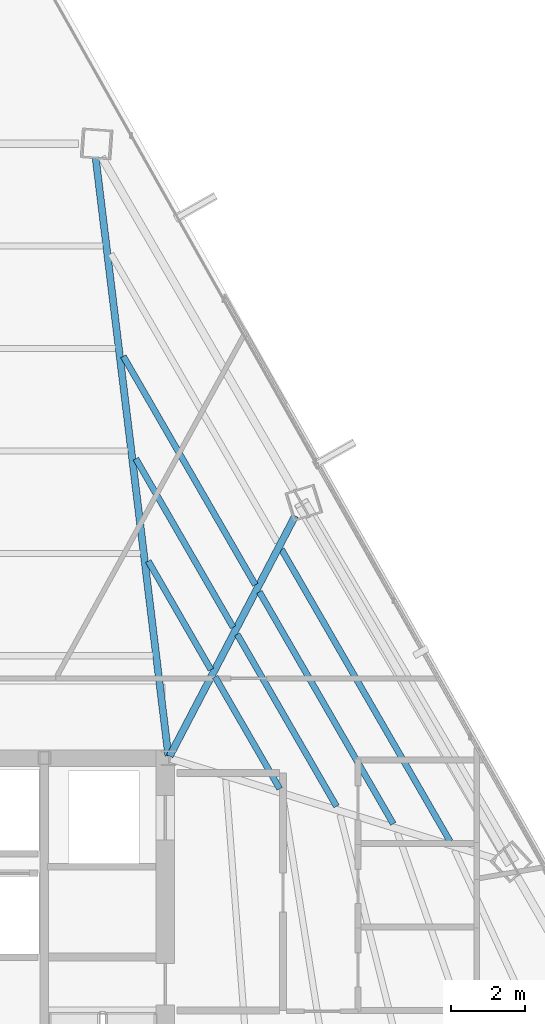
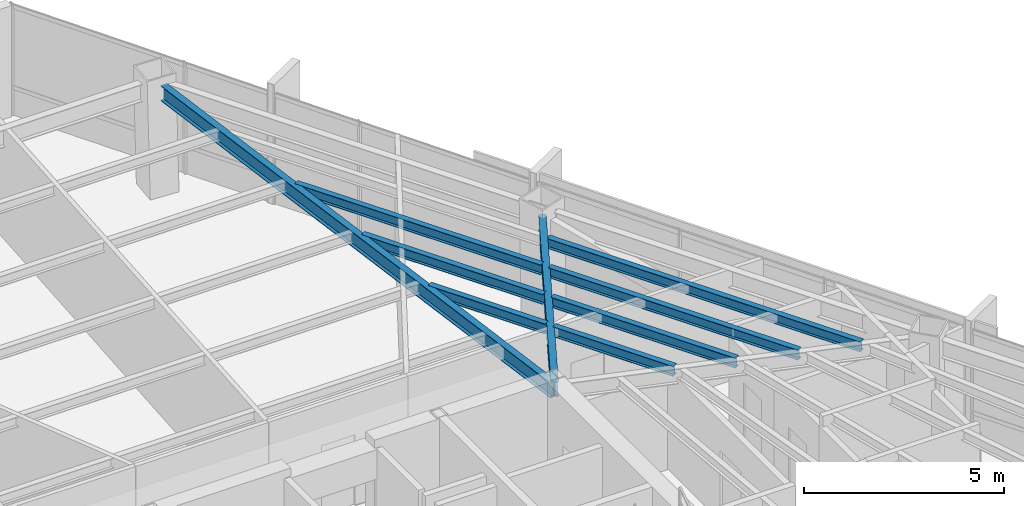
# One storey, part 25 of 42: 9 beams.
"""IFC4 building model written with IfcOpenShell, lengths in metres."""

from ifc_helpers import new_model, si_unit, direction, frame, origin, origin_2d, place, context, subcontext, project, spatial, i_section, extrude, source, transform, mapped, material, material_profile, profile_set, type_object, type_shapes, element, save


model = new_model("IFC4")

# Units and contexts
model_context = context("Model", 3, precision=1e-05, world=origin(), true_north=direction((0.0, 1.0)))
body_context = subcontext(model_context, "Body", "Model", "MODEL_VIEW")
ifc_project = project(units=[si_unit("LENGTHUNIT", "METRE"), si_unit("AREAUNIT", "SQUARE_METRE"), si_unit("VOLUMEUNIT", "CUBIC_METRE"), si_unit("PLANEANGLEUNIT", "RADIAN"), si_unit("MASSUNIT", "GRAM", prefix="KILO")], contexts=[model_context])

# Site, building, storey
site_placement = place(None, origin())
site = spatial("IfcSite", under=ifc_project, at=site_placement, CompositionType="ELEMENT")
building_placement = place(site_placement, origin())
building = spatial("IfcBuilding", under=site, at=building_placement, Name="Caelisora Broadcast Tower", CompositionType="ELEMENT")
storey_placement = place(building_placement, frame((0.0, 0.0, 184.050048828125)))
storey = spatial("IfcBuildingStorey", under=building, at=storey_placement, Name="L48", CompositionType="ELEMENT", Elevation=184.050048828125)

# Beams
ifc_material = material(Name="Steel Grade 350 (AS/NZS 3679.1)", Category="steel")
ifc_material_profile_1 = material_profile(ifc_material, i_section(OverallWidth=0.166015625, OverallDepth=0.30712890625, WebThickness=0.006591796875, FlangeThickness=0.01171875, at=origin_2d()), Name="Steel Grade 350 (AS/NZS 3679.1)")
ifc_profile_set_1 = profile_set([ifc_material_profile_1], Name="Steel Grade 350 (AS/NZS 3679.1)")
beam_type_1 = type_object("IfcBeamType", Name="SB03", PredefinedType="JOIST", material=ifc_profile_set_1)
shared_shape_1 = source(origin(), body_context, "Body", "SweptSolid", [
    extrude(i_section(OverallWidth=0.166015625, OverallDepth=0.30712890625, WebThickness=0.006591796875, FlangeThickness=0.01171875, at=origin_2d()), origin(), (0.0, 0.0, 1.0), 3.380126953125),
])
beam_1_placement = place(storey_placement, frame((46.639404296875, 32.38232421875, 3.246337890625), z_axis=(-0.499976720371, 0.866038843867, 0.0), x_axis=(-0.866038843867, -0.499976720371, 0.0)))
element("IfcBeam", 1, at=beam_1_placement, inside=storey, type_object=beam_type_1, Name="L48 beam SB03", PredefinedType="JOIST", context=body_context, shape_type="MappedRepresentation", body=[
    mapped(shared_shape_1, transform((0.0, 0.0, 0.0), scale=1.0)),
])
ifc_material_profile_2 = material_profile(ifc_material, i_section(OverallWidth=0.19091796875, OverallDepth=0.46044921875, WebThickness=0.010009765625, FlangeThickness=0.01611328125, at=origin_2d()), Name="Steel Grade 350 (AS/NZS 3679.1)")
ifc_profile_set_2 = profile_set([ifc_material_profile_2], Name="Steel Grade 350 (AS/NZS 3679.1)")
beam_type_2 = type_object("IfcBeamType", Name="PG06", PredefinedType="BEAM", material=ifc_profile_set_2)
shared_shape_2 = source(origin(), body_context, "Body", "SweptSolid", [
    extrude(i_section(OverallWidth=0.19091796875, OverallDepth=0.46044921875, WebThickness=0.010009765625, FlangeThickness=0.01611328125, at=origin_2d()), origin(), (0.0, 0.0, 1.0), 16.239501953125),
])
beam_2_placement = place(storey_placement, frame((45.492919921875, 30.0595703125, 3.169677734375), z_axis=(-0.12072016507, 0.992686577801, 0.0), x_axis=(-0.992686577801, -0.12072016507, 0.0)))
element("IfcBeam", 2, at=beam_2_placement, inside=storey, type_object=beam_type_2, Name="L48 beam PG06", PredefinedType="BEAM", context=body_context, shape_type="MappedRepresentation", body=[
    mapped(shared_shape_2, transform((0.0, 0.0, 0.0), scale=1.0)),
])
shared_shape_3 = source(origin(), body_context, "Body", "SweptSolid", [
    extrude(i_section(OverallWidth=0.19091796875, OverallDepth=0.46044921875, WebThickness=0.010009765625, FlangeThickness=0.01611328125, at=origin_2d()), origin(), (0.0, 0.0, 1.0), 7.30419921875),
])
type_shapes(beam_type_2, [shared_shape_2, shared_shape_3])
beam_3_placement = place(storey_placement, frame((45.52783203125, 30.05322265625, 3.169677734375), z_axis=(0.462933788928, 0.886392862713, 0.0), x_axis=(-0.886392862713, 0.462933788928, 0.0)))
element("IfcBeam", 3, at=beam_3_placement, inside=storey, type_object=beam_type_2, Name="L48 beam PG06", PredefinedType="BEAM", context=body_context, shape_type="MappedRepresentation", body=[
    mapped(shared_shape_3, transform((0.0, 0.0, 0.0), scale=1.0)),
])
shared_shape_4 = source(origin(), body_context, "Body", "SweptSolid", [
    extrude(i_section(OverallWidth=0.166015625, OverallDepth=0.30712890625, WebThickness=0.006591796875, FlangeThickness=0.01171875, at=origin_2d()), origin(), (0.0, 0.0, 1.0), 5.2451171875),
])
beam_4_placement = place(storey_placement, frame((47.236572265625, 33.52587890625, 3.246337890625), z_axis=(-0.49999374744, 0.866029013672, 0.0), x_axis=(-0.866029013672, -0.49999374744, 0.0)))
element("IfcBeam", 4, at=beam_4_placement, inside=storey, type_object=beam_type_1, Name="L48 beam SB03", PredefinedType="JOIST", context=body_context, shape_type="MappedRepresentation", body=[
    mapped(shared_shape_4, transform((0.0, 0.0, 0.0), scale=1.0)),
])
shared_shape_5 = source(origin(), body_context, "Body", "SweptSolid", [
    extrude(i_section(OverallWidth=0.166015625, OverallDepth=0.30712890625, WebThickness=0.006591796875, FlangeThickness=0.01171875, at=origin_2d()), origin(), (0.0, 0.0, 1.0), 7.11083984375),
])
beam_5_placement = place(storey_placement, frame((47.833740234375, 34.669189453125, 3.246337890625), z_axis=(-0.499997857848, 0.866026640553, 0.0), x_axis=(-0.866026640553, -0.499997857848, 0.0)))
element("IfcBeam", 5, at=beam_5_placement, inside=storey, type_object=beam_type_1, Name="L48 beam SB03", PredefinedType="JOIST", context=body_context, shape_type="MappedRepresentation", body=[
    mapped(shared_shape_5, transform((0.0, 0.0, 0.0), scale=1.0)),
])
shared_shape_6 = source(origin(), body_context, "Body", "SweptSolid", [
    extrude(i_section(OverallWidth=0.166015625, OverallDepth=0.30712890625, WebThickness=0.006591796875, FlangeThickness=0.01171875, at=origin_2d()), origin(), (0.0, 0.0, 1.0), 3.4833984375),
])
beam_6_placement = place(storey_placement, frame((48.4912109375, 29.175048828125, 3.246337890625), z_axis=(-0.500013671143, 0.866017510603, 0.0), x_axis=(-0.866017510603, -0.500013671143, 0.0)))
element("IfcBeam", 6, at=beam_6_placement, inside=storey, type_object=beam_type_1, Name="L48 beam SB03", PredefinedType="JOIST", context=body_context, shape_type="MappedRepresentation", body=[
    mapped(shared_shape_6, transform((0.0, 0.0, 0.0), scale=1.0)),
])
shared_shape_7 = source(origin(), body_context, "Body", "SweptSolid", [
    extrude(i_section(OverallWidth=0.166015625, OverallDepth=0.30712890625, WebThickness=0.006591796875, FlangeThickness=0.01171875, at=origin_2d()), origin(), (0.0, 0.0, 1.0), 5.348876953125),
])
beam_7_placement = place(storey_placement, frame((50.02099609375, 28.702880859375, 3.246337890625), z_axis=(-0.499977953809, 0.866038131785, 0.0), x_axis=(-0.866038131785, -0.499977953809, 0.0)))
element("IfcBeam", 7, at=beam_7_placement, inside=storey, type_object=beam_type_1, Name="L48 beam SB03", PredefinedType="JOIST", context=body_context, shape_type="MappedRepresentation", body=[
    mapped(shared_shape_7, transform((0.0, 0.0, 0.0), scale=1.0)),
])
shared_shape_8 = source(origin(), body_context, "Body", "SweptSolid", [
    extrude(i_section(OverallWidth=0.166015625, OverallDepth=0.30712890625, WebThickness=0.006591796875, FlangeThickness=0.01171875, at=origin_2d()), origin(), (0.0, 0.0, 1.0), 7.214111328125),
])
beam_8_placement = place(storey_placement, frame((51.551025390625, 28.23095703125, 3.246337890625), z_axis=(-0.500015396624, 0.866016514357, 0.0), x_axis=(-0.866016514357, -0.500015396624, 0.0)))
element("IfcBeam", 8, at=beam_8_placement, inside=storey, type_object=beam_type_1, Name="L48 beam SB03", PredefinedType="JOIST", context=body_context, shape_type="MappedRepresentation", body=[
    mapped(shared_shape_8, transform((0.0, 0.0, 0.0), scale=1.0)),
])
shared_shape_9 = source(origin(), body_context, "Body", "SweptSolid", [
    extrude(i_section(OverallWidth=0.166015625, OverallDepth=0.30712890625, WebThickness=0.006591796875, FlangeThickness=0.01171875, at=origin_2d()), origin(), (0.0, 0.0, 1.0), 9.07958984375),
])
type_shapes(beam_type_1, [shared_shape_1, shared_shape_4, shared_shape_5, shared_shape_6, shared_shape_7, shared_shape_8, shared_shape_9])
beam_9_placement = place(storey_placement, frame((53.080810546875, 27.759033203125, 3.246337890625), z_axis=(-0.500005644317, 0.866022145012, 0.0), x_axis=(-0.866022145012, -0.500005644317, 0.0)))
element("IfcBeam", 9, at=beam_9_placement, inside=storey, type_object=beam_type_1, Name="L48 beam SB03", PredefinedType="JOIST", context=body_context, shape_type="MappedRepresentation", body=[
    mapped(shared_shape_9, transform((0.0, 0.0, 0.0), scale=1.0)),
])

save(model, "model.ifc")
